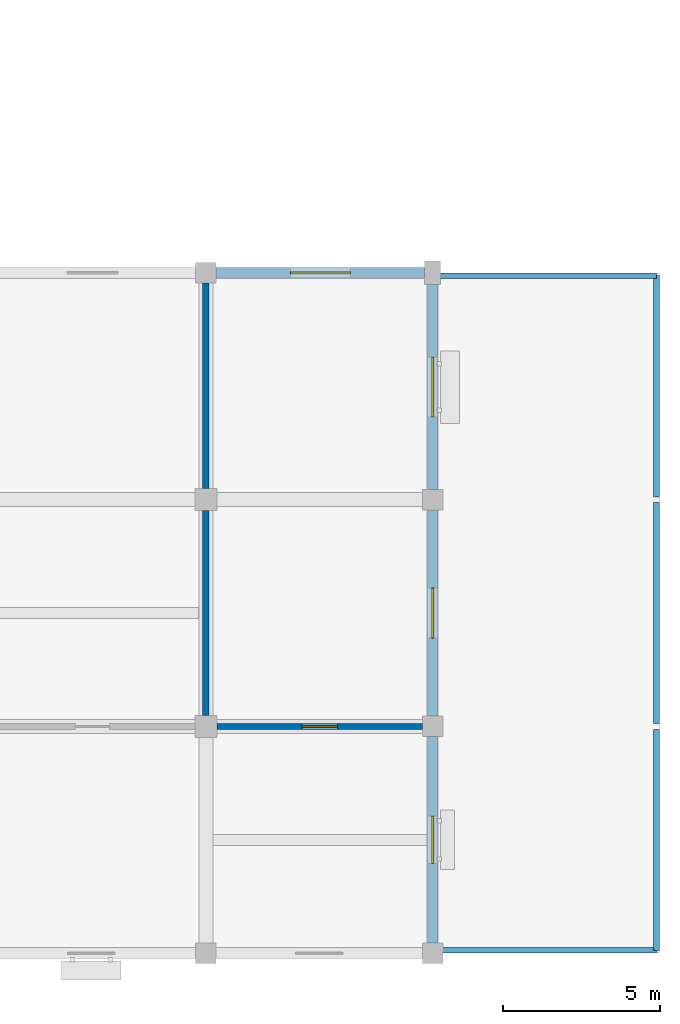
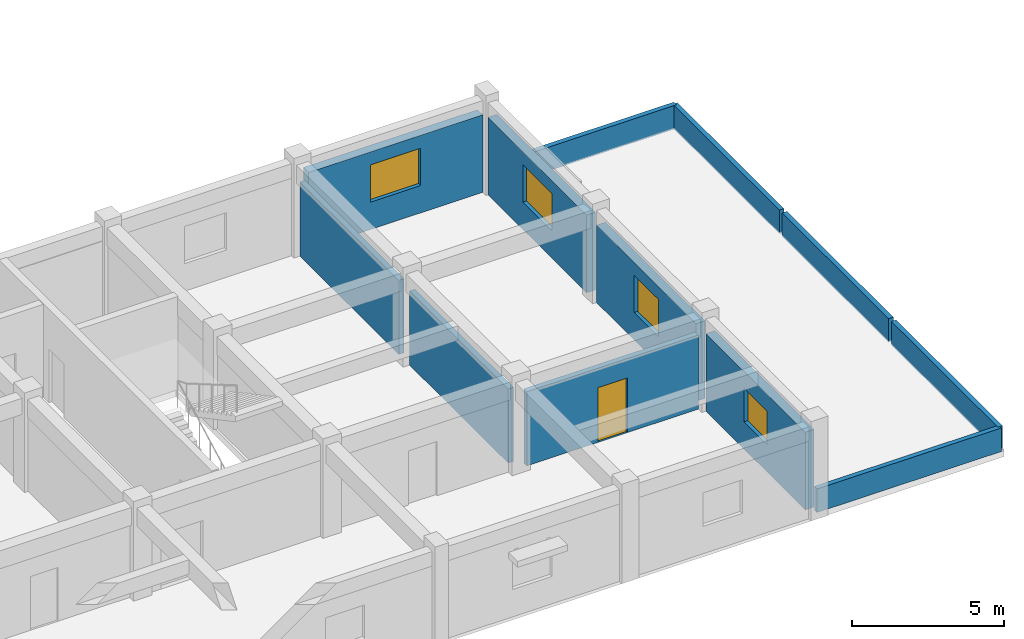
# One storey, part 10 of 16: 12 walls, 4 windows, 1 door, 5 openings.
"""IFC4 building model written with IfcOpenShell, lengths in metres."""

from ifc_helpers import new_model, si_unit, direction, frame, frame_2d, origin, place, context, subcontext, project, spatial, rectangle, extrude, material, layer, layer_set, type_object, element, fill, save


model = new_model("IFC4")

# Units and contexts
model_context = context("Model", 3, precision=1e-05, world=origin(), true_north=direction((0.0, 1.0)))
body_context = subcontext(model_context, "Body", "Model", "MODEL_VIEW")
ifc_project = project(units=[si_unit("LENGTHUNIT", "METRE"), si_unit("AREAUNIT", "SQUARE_METRE"), si_unit("VOLUMEUNIT", "CUBIC_METRE"), si_unit("PLANEANGLEUNIT", "RADIAN"), si_unit("MASSUNIT", "GRAM", prefix="KILO")], contexts=[model_context])

# Site, building, storey
site_placement = place(None, origin())
site = spatial("IfcSite", under=ifc_project, at=site_placement, CompositionType="ELEMENT")
building_placement = place(site_placement, origin())
building = spatial("IfcBuilding", under=site, at=building_placement, Name="Cendaluz Park School", CompositionType="ELEMENT")
storey_placement = place(building_placement, frame((0.0, 0.0, 22.60009765625)))
storey = spatial("IfcBuildingStorey", under=building, at=storey_placement, Name="L05", CompositionType="ELEMENT", Elevation=22.60009765625)

# Walls
ifc_material_1 = material(Name="Gypsum Plasterboard on Cold-Formed Stud", Category="gypsum")
ifc_layer_1 = layer(ifc_material_1, 0.199951171875)
ifc_layer_set_1 = layer_set([ifc_layer_1], Name="Gypsum Plasterboard on Cold-Formed Stud")
wall_type_1 = type_object("IfcWallType", Name="W-AC20", PredefinedType="PARTITIONING", material=ifc_layer_set_1)
wall_1_placement = place(storey_placement, frame((144.0, 14.75, 0.0), z_axis=(0.0, 0.0, 1.0), x_axis=(0.0, 1.0, 0.0)))
element("IfcWall", 1, at=wall_1_placement, inside=storey, type_object=wall_type_1, Name="WL-FF-BR7", PredefinedType="PARTITIONING", context=body_context, shape_type="SweptSolid", body=[
    extrude(rectangle(XDim=6.5, YDim=0.199951171875, at=frame_2d((3.25, 0.0))), origin(), (0.0, 0.0, 1.0), 2.97998046875),
])
wall_2_placement = place(storey_placement, frame((144.0, 21.949951171875, 0.0), z_axis=(0.0, 0.0, 1.0), x_axis=(0.0, 1.0, 0.0)))
element("IfcWall", 2, at=wall_2_placement, inside=storey, type_object=wall_type_1, Name="WL-FF-BR8", PredefinedType="PARTITIONING", context=body_context, shape_type="SweptSolid", body=[
    extrude(rectangle(XDim=6.525146484375, YDim=0.199951171875, at=frame_2d((3.2626953125, 0.0))), origin(), (0.0, 0.0, 1.0), 2.97998046875),
])

# Wall, opening, door
wall_3_placement = place(storey_placement, frame((144.35009765625, 14.39990234375, 0.0), z_axis=(0.0, 0.0, 1.0), x_axis=(1.0, 0.0, 0.0)))
wall_3 = element("IfcWall", 3, at=wall_3_placement, inside=storey, type_object=wall_type_1, Name="WL-FF-BR9", PredefinedType="PARTITIONING", context=body_context, shape_type="SweptSolid", body=[
    extrude(rectangle(XDim=6.52490234375, YDim=0.199951171875, at=frame_2d((3.262451171875, 0.0))), origin(), (0.0, 0.0, 1.0), 2.97998046875),
])
opening_1_placement = place(wall_3_placement, frame((2.702392578125, 0.0, 0.0)))
opening_1 = element("IfcOpeningElement", 4, at=opening_1_placement, cuts=wall_3, Name="Opening DCL-06", PredefinedType="OPENING", context=body_context, shape_type="SweptSolid", body=[
    extrude(rectangle(XDim=1.1201171875, YDim=2.199951171875, at=frame_2d((0.56005859375, 1.10009765625))), frame((0.0, 0.112060546875, 0.0), z_axis=(0.0, -1.0, 0.0), x_axis=(1.0, 0.0, 0.0)), (0.0, 0.0, 1.0), 0.223876953125),
])
ifc_material_2 = material(Name="Solid Core Hardwood", Category="wood")
door_type = type_object("IfcDoorType", Name="DCL-06", OperationType="NOTDEFINED", PredefinedType="DOOR", material=ifc_material_2)
door_placement = place(opening_1_placement, origin())
door = element("IfcDoor", 5, at=door_placement, inside=storey, type_object=door_type, Name="D-L05-036", OperationType="SINGLE_SWING_RIGHT", OverallHeight=2.199951171875, OverallWidth=1.1201171875, PredefinedType="DOOR", context=body_context, shape_type="SweptSolid", body=[
    extrude(rectangle(XDim=1.1201171875, YDim=2.199951171875, at=frame_2d((0.56005859375, 1.10009765625))), frame((0.0, 0.02490234375, 0.0), z_axis=(0.0, -1.0, 0.0), x_axis=(1.0, 0.0, 0.0)), (0.0, 0.0, 1.0), 0.050048828125),
])
fill(opening_1, door)

# Wall, opening, window
ifc_material_3 = material(Name="Concrete C40/50 precast", Category="concrete")
ifc_layer_2 = layer(ifc_material_3, 0.340087890625)
ifc_layer_set_2 = layer_set([ifc_layer_2], Name="Concrete C40/50 precast")
wall_type_2 = type_object("IfcWallType", Name="W-EX34", PredefinedType="SOLIDWALL", material=ifc_layer_set_2)
wall_4_placement = place(storey_placement, frame((151.199951171875, 7.52490234375, 0.0), z_axis=(0.0, 0.0, 1.0), x_axis=(0.0, 1.0, 0.0)))
wall_4 = element("IfcWall", 6, at=wall_4_placement, inside=storey, type_object=wall_type_2, Name="WL-FF-AE2", PredefinedType="SOLIDWALL", context=body_context, shape_type="SweptSolid", body=[
    extrude(rectangle(XDim=6.550048828125, YDim=0.340087890625, at=frame_2d((3.27490234375, 0.0))), origin(), (0.0, 0.0, 1.0), 3.119873046875),
])
opening_2_placement = place(wall_4_placement, frame((2.52490234375, 0.0, 1.10009765625)))
opening_2 = element("IfcOpeningElement", 7, at=opening_2_placement, cuts=wall_4, Name="Opening WN-20", PredefinedType="OPENING", context=body_context, shape_type="SweptSolid", body=[
    extrude(rectangle(XDim=1.5, YDim=1.35009765625, at=frame_2d((0.75, 0.675048828125))), frame((0.0, 0.18212890625, 0.0), z_axis=(0.0, -1.0, 0.0), x_axis=(1.0, 0.0, 0.0)), (0.0, 0.0, 1.0), 0.364013671875),
])
ifc_material_4 = material(Name="Tempered Low-E Double Glazing", Category="glass")
window_type_1 = type_object("IfcWindowType", Name="WN-20", PartitioningType="SINGLE_PANEL", PredefinedType="WINDOW", material=ifc_material_4)
window_1_placement = place(opening_2_placement, origin())
window_1 = element("IfcWindow", 8, at=window_1_placement, inside=storey, type_object=window_type_1, Name="WN-L05-043", OverallHeight=1.35009765625, OverallWidth=1.5, PartitioningType="SINGLE_PANEL", PredefinedType="WINDOW", context=body_context, shape_type="SweptSolid", body=[
    extrude(rectangle(XDim=1.5, YDim=1.35009765625, at=frame_2d((0.75, 0.675048828125))), frame((0.0, 0.030029296875, 0.0), z_axis=(0.0, -1.0, 0.0), x_axis=(1.0, 0.0, 0.0)), (0.0, 0.0, 1.0), 0.06005859375),
])
fill(opening_2, window_1)

wall_5_placement = place(storey_placement, frame((151.199951171875, 14.72509765625, 0.0), z_axis=(0.0, 0.0, 1.0), x_axis=(0.0, 1.0, 0.0)))
wall_5 = element("IfcWall", 9, at=wall_5_placement, inside=storey, type_object=wall_type_2, Name="WL-FF-AE3", PredefinedType="SOLIDWALL", context=body_context, shape_type="SweptSolid", body=[
    extrude(rectangle(XDim=6.5498046875, YDim=0.340087890625, at=frame_2d((3.27490234375, 0.0))), origin(), (0.0, 0.0, 1.0), 3.119873046875),
])
opening_3_placement = place(wall_5_placement, frame((2.47509765625, 0.0, 1.10009765625)))
opening_3 = element("IfcOpeningElement", 10, at=opening_3_placement, cuts=wall_5, Name="Opening WN-16", PredefinedType="OPENING", context=body_context, shape_type="SweptSolid", body=[
    extrude(rectangle(XDim=1.60009765625, YDim=1.5, at=frame_2d((0.800048828125, 0.75))), frame((0.0, 0.18212890625, 0.0), z_axis=(0.0, -1.0, 0.0), x_axis=(1.0, 0.0, 0.0)), (0.0, 0.0, 1.0), 0.364013671875),
])
window_type_2 = type_object("IfcWindowType", Name="WN-16", PartitioningType="SINGLE_PANEL", PredefinedType="WINDOW", material=ifc_material_4)
window_2_placement = place(opening_3_placement, origin())
window_2 = element("IfcWindow", 11, at=window_2_placement, inside=storey, type_object=window_type_2, Name="WN-L05-044", OverallHeight=1.5, OverallWidth=1.60009765625, PartitioningType="SINGLE_PANEL", PredefinedType="WINDOW", context=body_context, shape_type="SweptSolid", body=[
    extrude(rectangle(XDim=1.60009765625, YDim=1.5, at=frame_2d((0.800048828125, 0.75))), frame((0.0, 0.030029296875, 0.0), z_axis=(0.0, -1.0, 0.0), x_axis=(1.0, 0.0, 0.0)), (0.0, 0.0, 1.0), 0.06005859375),
])
fill(opening_3, window_2)

wall_6_placement = place(storey_placement, frame((144.324951171875, 28.800048828125, 0.0), z_axis=(0.0, 0.0, 1.0), x_axis=(1.0, 0.0, 0.0)))
wall_6 = element("IfcWall", 12, at=wall_6_placement, inside=storey, type_object=wall_type_2, Name="WL-FF-AE4", PredefinedType="SOLIDWALL", context=body_context, shape_type="SweptSolid", body=[
    extrude(rectangle(XDim=6.625, YDim=0.340087890625, at=frame_2d((3.3125, 0.0))), origin(), (0.0, 0.0, 1.0), 3.119873046875),
])
opening_4_placement = place(wall_6_placement, frame((2.362548828125, 0.0, 1.10009765625)))
opening_4 = element("IfcOpeningElement", 13, at=opening_4_placement, cuts=wall_6, Name="Opening WN-17", PredefinedType="OPENING", context=body_context, shape_type="SweptSolid", body=[
    extrude(rectangle(XDim=1.89990234375, YDim=1.5, at=frame_2d((0.949951171875, 0.75))), frame((0.0, 0.18212890625, 0.0), z_axis=(0.0, -1.0, 0.0), x_axis=(1.0, 0.0, 0.0)), (0.0, 0.0, 1.0), 0.364013671875),
])
window_type_3 = type_object("IfcWindowType", Name="WN-17", PartitioningType="SINGLE_PANEL", PredefinedType="WINDOW", material=ifc_material_4)
window_3_placement = place(opening_4_placement, origin())
window_3 = element("IfcWindow", 14, at=window_3_placement, inside=storey, type_object=window_type_3, Name="WN-L05-045", OverallHeight=1.5, OverallWidth=1.89990234375, PartitioningType="SINGLE_PANEL", PredefinedType="WINDOW", context=body_context, shape_type="SweptSolid", body=[
    extrude(rectangle(XDim=1.89990234375, YDim=1.5, at=frame_2d((0.949951171875, 0.75))), frame((0.0, 0.030029296875, 0.0), z_axis=(0.0, -1.0, 0.0), x_axis=(1.0, 0.0, 0.0)), (0.0, 0.0, 1.0), 0.06005859375),
])
fill(opening_4, window_3)

wall_7_placement = place(storey_placement, frame((151.199951171875, 21.925048828125, 0.0), z_axis=(0.0, 0.0, 1.0), x_axis=(0.0, 1.0, 0.0)))
wall_7 = element("IfcWall", 15, at=wall_7_placement, inside=storey, type_object=wall_type_2, Name="WL-FF-AE5", PredefinedType="SOLIDWALL", context=body_context, shape_type="SweptSolid", body=[
    extrude(rectangle(XDim=6.5, YDim=0.340087890625, at=frame_2d((3.25, 0.0))), origin(), (0.0, 0.0, 1.0), 3.119873046875),
])
opening_5_placement = place(wall_7_placement, frame((2.300048828125, 0.0, 1.10009765625)))
opening_5 = element("IfcOpeningElement", 16, at=opening_5_placement, cuts=wall_7, Name="Opening WN-17", PredefinedType="OPENING", context=body_context, shape_type="SweptSolid", body=[
    extrude(rectangle(XDim=1.89990234375, YDim=1.5, at=frame_2d((0.949951171875, 0.75))), frame((0.0, 0.18212890625, 0.0), z_axis=(0.0, -1.0, 0.0), x_axis=(1.0, 0.0, 0.0)), (0.0, 0.0, 1.0), 0.364013671875),
])
window_4_placement = place(opening_5_placement, origin())
window_4 = element("IfcWindow", 17, at=window_4_placement, inside=storey, type_object=window_type_3, Name="WN-L05-046", OverallHeight=1.5, OverallWidth=1.89990234375, PartitioningType="SINGLE_PANEL", PredefinedType="WINDOW", context=body_context, shape_type="SweptSolid", body=[
    extrude(rectangle(XDim=1.89990234375, YDim=1.5, at=frame_2d((0.949951171875, 0.75))), frame((0.0, 0.030029296875, 0.0), z_axis=(0.0, -1.0, 0.0), x_axis=(1.0, 0.0, 0.0)), (0.0, 0.0, 1.0), 0.06005859375),
])
fill(opening_5, window_4)

# Walls
ifc_layer_3 = layer(ifc_material_3, 0.179931640625)
ifc_layer_set_3 = layer_set([ifc_layer_3], Name="Concrete C40/50 precast")
wall_type_3 = type_object("IfcWallType", Name="W-PR18", PredefinedType="PARAPET", material=ifc_layer_set_3)
for number, where, z_axis, x_axis, name in (
    (18, (151.2900390625, 7.2900390625, 0.0), (0.0, 0.0, 1.0), (1.0, 0.0, 0.0), "WL-FF-AF9"),
    (19, (158.31005859375, 7.2900390625, 0.0), (0.0, 0.0, 1.0), (0.0, 1.0, 0.0), "WL-FF-AG0"),
    (20, (158.31005859375, 14.489990234375, 0.0), (0.0, 0.0, 1.0), (0.0, 1.0, 0.0), "WL-FF-AG1"),
    (21, (151.2900390625, 28.7099609375, 0.0), (0.0, 0.0, 1.0), (1.0, 0.0, 0.0), "WL-FF-AG2"),
    (22, (158.31005859375, 21.68994140625, 0.0), (0.0, 0.0, 1.0), (0.0, 1.0, 0.0), "WL-FF-AG3"),
):
    element("IfcWall", number, at=place(storey_placement, frame(where, z_axis=z_axis, x_axis=x_axis)), inside=storey, type_object=wall_type_3, Name=name, PredefinedType="PARAPET", context=body_context, shape_type="SweptSolid", body=[
        extrude(rectangle(XDim=7.02001953125, YDim=0.179931640625, at=frame_2d((3.510009765625, 0.0))), origin(), (0.0, 0.0, 1.0), 0.949951171875),
    ])

save(model, "model.ifc")
